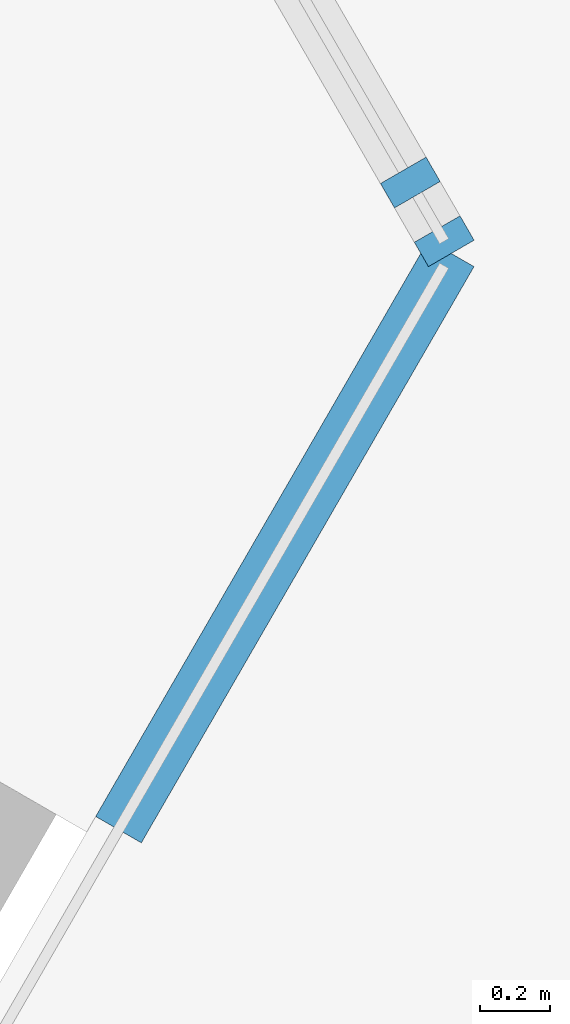
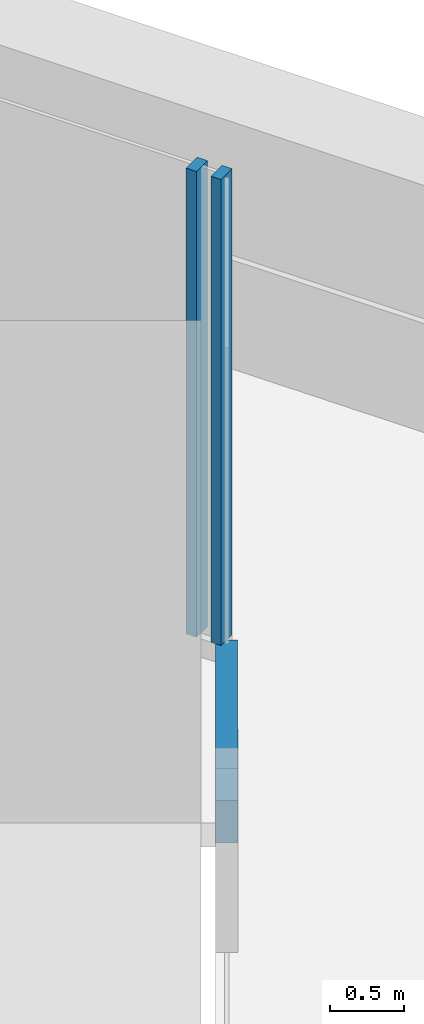
# One storey, part 12 of 29: 3 members, 2 elements without a shape of their own.
"""IFC4 building model written with IfcOpenShell, lengths in metres."""

from ifc_helpers import new_model, si_unit, direction, frame, origin, origin_2d, place, context, subcontext, project, spatial, rectangle, extrude, material, layer, layer_set, material_profile, profile_set, type_object, element, aggregate, save


model = new_model("IFC4")

# Units and contexts
model_context = context("Model", 3, precision=1e-05, world=origin(), true_north=direction((0.0, 1.0)))
body_context = subcontext(model_context, "Body", "Model", "MODEL_VIEW")
ifc_project = project(units=[si_unit("LENGTHUNIT", "METRE"), si_unit("AREAUNIT", "SQUARE_METRE"), si_unit("VOLUMEUNIT", "CUBIC_METRE"), si_unit("PLANEANGLEUNIT", "RADIAN"), si_unit("MASSUNIT", "GRAM", prefix="KILO")], contexts=[model_context])

# Site, building, storey
site_placement = place(None, origin())
site = spatial("IfcSite", under=ifc_project, at=site_placement, CompositionType="ELEMENT")
building_placement = place(site_placement, origin())
building = spatial("IfcBuilding", under=site, at=building_placement, Name="Firuza Gate Tower and Library", CompositionType="ELEMENT")
storey_placement = place(building_placement, frame((0.0, 0.0, 48.39990234375)))
storey = spatial("IfcBuildingStorey", under=building, at=storey_placement, Name="L10", CompositionType="ELEMENT", Elevation=48.39990234375)

# Curtain wall, members
ifc_material_1 = material(Name="Aluminium 6063-T6", Category="aluminium")
ifc_layer_1 = layer(ifc_material_1, 0.14990234375)
ifc_layer_set_1 = layer_set([ifc_layer_1], Name="Unitised curtain wall, offices")
curtain_wall_type_1 = type_object("IfcCurtainWallType", Name="Unitised curtain wall, offices", PredefinedType="NOTDEFINED", material=ifc_layer_set_1)
placement = place(storey_placement, origin())
curtain_wall_1 = element("IfcCurtainWall", 1, at=placement, inside=storey, type_object=curtain_wall_type_1, Name="CW1 L10 E face", PredefinedType="NOTDEFINED")
ifc_material_2 = material(Name="Aluminium 6063-T6", Category="aluminium")
ifc_material_profile_1 = material_profile(ifc_material_2, rectangle(XDim=0.14990234375, YDim=0.080078125, at=origin_2d()))
ifc_profile_set_1 = profile_set([ifc_material_profile_1], Name="Aluminium 6063-T6")
member_type_1 = type_object("IfcMemberType", Name="Curtain wall mullion 80x150", PredefinedType="MULLION", material=ifc_profile_set_1)
member_1_placement = place(storey_placement, frame((107.368408203125, 60.542236328125, 0.150146484375), z_axis=(0.0, 0.0, 1.0), x_axis=(-0.866025403784, -0.5, 0.0)))
member_1 = element("IfcMember", 2, at=member_1_placement, type_object=member_type_1, Name="Mullion", PredefinedType="MULLION", context=body_context, shape_type="SweptSolid", body=[
    extrude(rectangle(XDim=0.14990234375, YDim=0.080078125, at=origin_2d()), origin(), (0.0, 0.0, 1.0), 3.849853515625),
])
member_2_placement = place(storey_placement, frame((107.27197265625, 60.709228515625, 0.150146484375), z_axis=(0.0, 0.0, 1.0), x_axis=(-0.866025403784, -0.5, 0.0)))
member_2 = element("IfcMember", 3, at=member_2_placement, type_object=member_type_1, Name="Mullion", PredefinedType="MULLION", context=body_context, shape_type="SweptSolid", body=[
    extrude(rectangle(XDim=0.14990234375, YDim=0.080078125, at=origin_2d()), origin(), (0.0, 0.0, 1.0), 3.849853515625),
])
aggregate(curtain_wall_1, [member_1, member_2])

# Curtain wall, member
ifc_material_3 = material(Name="Aluminium 6063-T6", Category="aluminium")
ifc_layer_2 = layer(ifc_material_3, 0.14990234375)
ifc_layer_set_2 = layer_set([ifc_layer_2], Name="Corner curtain wall, chamfers")
curtain_wall_type_2 = type_object("IfcCurtainWallType", Name="Corner curtain wall, chamfers", PredefinedType="NOTDEFINED", material=ifc_layer_set_2)
curtain_wall_2 = element("IfcCurtainWall", 4, at=placement, inside=storey, type_object=curtain_wall_type_2, Name="CW4 L10 SE corner", PredefinedType="NOTDEFINED")
ifc_material_4 = material(Name="Aluminium 6063-T6", Category="aluminium")
ifc_material_profile_2 = material_profile(ifc_material_4, rectangle(XDim=0.14990234375, YDim=0.35009765625, at=origin_2d()))
ifc_profile_set_2 = profile_set([ifc_material_profile_2], Name="Aluminium 6063-T6")
member_type_2 = type_object("IfcMemberType", Name="Curtain wall transom 350x150", PredefinedType="USERDEFINED", material=ifc_profile_set_2)
member_3_placement = place(storey_placement, frame((106.442138671875, 58.868896484375, -0.02490234375), z_axis=(0.499983064336, 0.866035181374, 0.0), x_axis=(-0.866035181374, 0.499983064336, 0.0)))
member_3 = element("IfcMember", 5, at=member_3_placement, type_object=member_type_2, Name="Transom", ObjectType="TRANSOM", PredefinedType="USERDEFINED", context=body_context, shape_type="SweptSolid", body=[
    extrude(rectangle(XDim=0.14990234375, YDim=0.35009765625, at=origin_2d()), origin(), (0.0, 0.0, 1.0), 1.89208984375),
])
aggregate(curtain_wall_2, [member_3])

save(model, "model.ifc")
